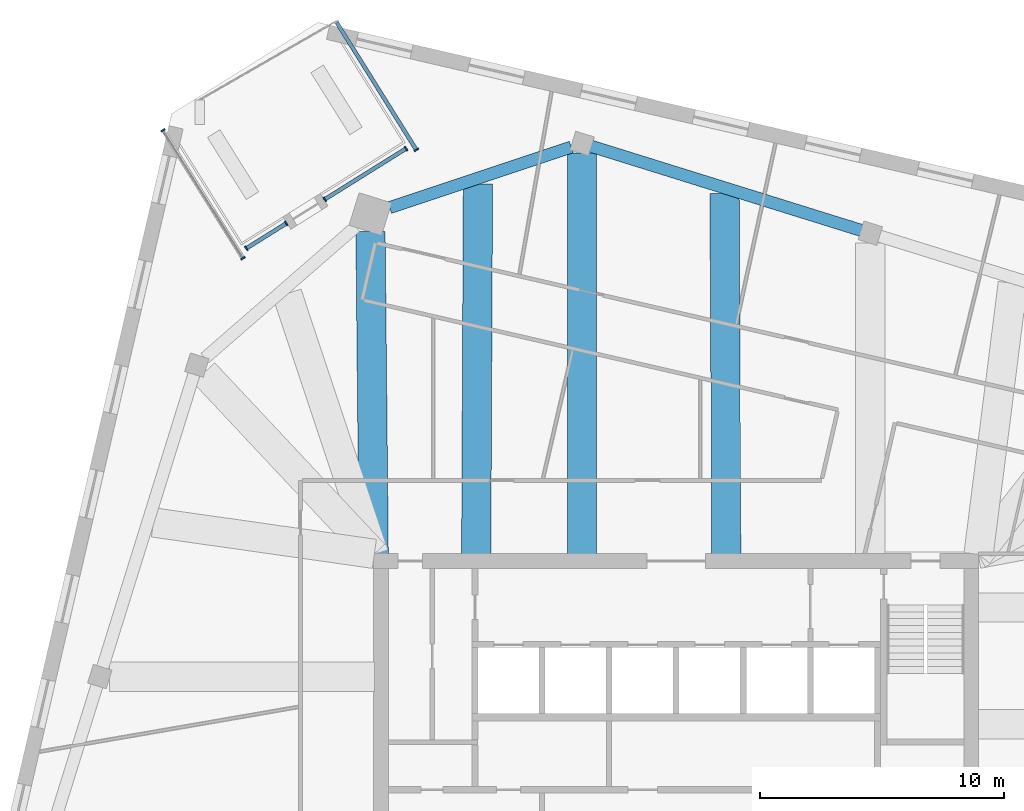
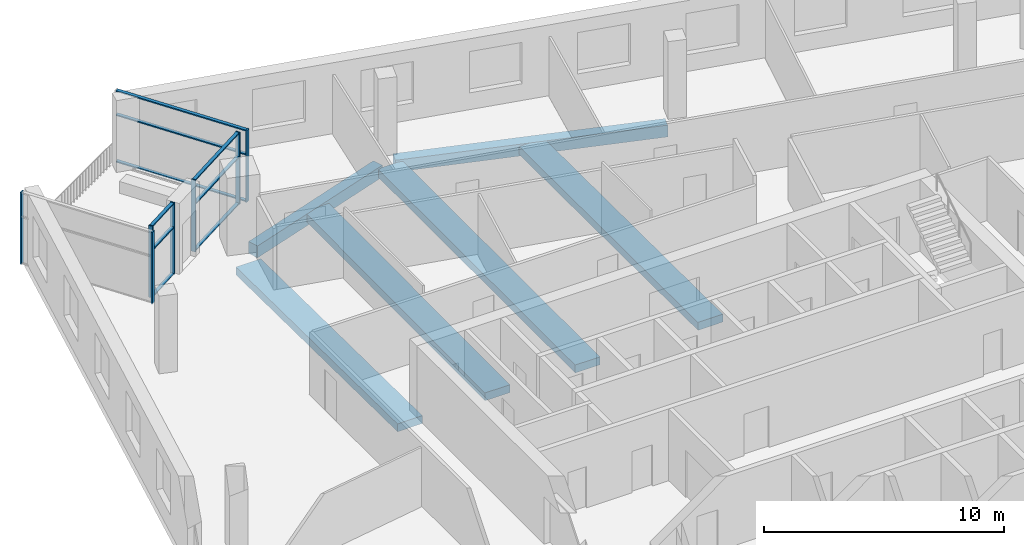
# One storey, part 2 of 14: 16 members, 6 beams, 4 elements without a shape of their own.
"""IFC4 building model written with IfcOpenShell, lengths in metres."""

from ifc_helpers import new_model, si_unit, direction, frame, origin, origin_2d, place, context, subcontext, project, spatial, rectangle, extrude, material, material_profile, profile_set, type_object, element, aggregate, save


model = new_model("IFC4")

# Units and contexts
model_context = context("Model", 3, precision=1e-05, world=origin(), true_north=direction((0.0, 1.0)))
body_context = subcontext(model_context, "Body", "Model", "MODEL_VIEW")
ifc_project = project(units=[si_unit("LENGTHUNIT", "METRE"), si_unit("AREAUNIT", "SQUARE_METRE"), si_unit("VOLUMEUNIT", "CUBIC_METRE"), si_unit("PLANEANGLEUNIT", "RADIAN"), si_unit("MASSUNIT", "GRAM", prefix="KILO")], contexts=[model_context])

# Site, building, storey
site_placement = place(None, origin())
site = spatial("IfcSite", under=ifc_project, at=site_placement, CompositionType="ELEMENT")
building_placement = place(site_placement, origin())
building = spatial("IfcBuilding", under=site, at=building_placement, Name="Dilmun Exchange Tower", CompositionType="ELEMENT")
storey_placement = place(building_placement, frame((0.0, 0.0, 336.5)))
storey = spatial("IfcBuildingStorey", under=building, at=storey_placement, Name="L80", CompositionType="ELEMENT", Elevation=336.5)

# Curtain wall, member
ifc_material_1 = material(Name="Anodised aluminium and clear glass", Category="aluminium")
curtain_wall_type = type_object("IfcCurtainWallType", Name="Garden corner glazing", PredefinedType="NOTDEFINED", material=ifc_material_1)
curtain_wall_1_placement = place(storey_placement, origin())
curtain_wall_1 = element("IfcCurtainWall", 1, at=curtain_wall_1_placement, inside=storey, type_object=curtain_wall_type, Name="Garden corner glazing run GC1.1", PredefinedType="NOTDEFINED")
ifc_material_2 = material(Name="Anodised aluminium", Category="aluminium")
ifc_material_profile_1 = material_profile(ifc_material_2, rectangle(XDim=0.199951171875, YDim=0.06005859375, at=origin_2d()), Name="AL 60x200")
ifc_profile_set_1 = profile_set([ifc_material_profile_1], Name="Anodised aluminium")
member_type_1 = type_object("IfcMemberType", Name="Garden corner glazing mullion 60 x 200", PredefinedType="MULLION", material=ifc_profile_set_1)
member_1_placement = place(storey_placement, frame((-10.65185546875, 28.95458984375, 0.0), z_axis=(0.0, 0.0, 1.0), x_axis=(0.8480495651, 0.529916913426, 0.0)))
member_1 = element("IfcMember", 2, at=member_1_placement, type_object=member_type_1, Name="GC1.1 mullion 2", PredefinedType="MULLION", context=body_context, shape_type="SweptSolid", body=[
    extrude(rectangle(XDim=0.199951171875, YDim=0.06005859375, at=origin_2d()), origin(), (0.0, 0.0, 1.0), 3.64990234375),
])

# Curtain wall, members
curtain_wall_2_placement = place(storey_placement, origin())
curtain_wall_2 = element("IfcCurtainWall", 3, at=curtain_wall_2_placement, inside=storey, type_object=curtain_wall_type, Name="Garden corner glazing run GC2.1", PredefinedType="NOTDEFINED")
member_2_placement = place(storey_placement, frame((-11.07470703125, 29.0087890625, 0.0), z_axis=(0.0, 0.0, 1.0), x_axis=(0.529924577258, -0.848044776187, 0.0)))
member_2 = element("IfcMember", 4, at=member_2_placement, type_object=member_type_1, Name="GC2.1 mullion 1", PredefinedType="MULLION", context=body_context, shape_type="SweptSolid", body=[
    extrude(rectangle(XDim=0.199951171875, YDim=0.06005859375, at=origin_2d()), origin(), (0.0, 0.0, 1.0), 3.64990234375),
])
member_3_placement = place(storey_placement, frame((-14.40673828125, 26.9267578125, 0.0), z_axis=(0.0, 0.0, 1.0), x_axis=(0.529924577258, -0.848044776187, 0.0)))
member_3 = element("IfcMember", 5, at=member_3_placement, type_object=member_type_1, Name="GC2.1 mullion 2", PredefinedType="MULLION", context=body_context, shape_type="SweptSolid", body=[
    extrude(rectangle(XDim=0.199951171875, YDim=0.06005859375, at=origin_2d()), origin(), (0.0, 0.0, 1.0), 3.64990234375),
])

curtain_wall_3_placement = place(storey_placement, origin())
curtain_wall_3 = element("IfcCurtainWall", 6, at=curtain_wall_3_placement, inside=storey, type_object=curtain_wall_type, Name="Garden corner glazing run GC2.3", PredefinedType="NOTDEFINED")
member_4_placement = place(storey_placement, frame((-15.984130859375, 25.94091796875, 0.0), z_axis=(0.0, 0.0, 1.0), x_axis=(0.529885960447, -0.848068905763, 0.0)))
member_4 = element("IfcMember", 7, at=member_4_placement, type_object=member_type_1, Name="GC2.3 mullion 1", PredefinedType="MULLION", context=body_context, shape_type="SweptSolid", body=[
    extrude(rectangle(XDim=0.199951171875, YDim=0.06005859375, at=origin_2d()), origin(), (0.0, 0.0, 1.0), 3.64990234375),
])
member_5_placement = place(storey_placement, frame((-17.6201171875, 24.918701171875, 0.0), z_axis=(0.0, 0.0, 1.0), x_axis=(0.529885960447, -0.848068905763, 0.0)))
member_5 = element("IfcMember", 8, at=member_5_placement, type_object=member_type_1, Name="GC2.3 mullion 2", PredefinedType="MULLION", context=body_context, shape_type="SweptSolid", body=[
    extrude(rectangle(XDim=0.199951171875, YDim=0.06005859375, at=origin_2d()), origin(), (0.0, 0.0, 1.0), 3.64990234375),
])

curtain_wall_4_placement = place(storey_placement, origin())
curtain_wall_4 = element("IfcCurtainWall", 9, at=curtain_wall_4_placement, inside=storey, type_object=curtain_wall_type, Name="Garden corner glazing run GC3.1", PredefinedType="NOTDEFINED")
member_6_placement = place(storey_placement, frame((-17.7568359375, 24.514892578125, 0.0), z_axis=(0.0, 0.0, 1.0), x_axis=(-0.8480495651, -0.529916913426, 0.0)))
member_6 = element("IfcMember", 10, at=member_6_placement, type_object=member_type_1, Name="GC3.1 mullion 1", PredefinedType="MULLION", context=body_context, shape_type="SweptSolid", body=[
    extrude(rectangle(XDim=0.199951171875, YDim=0.06005859375, at=origin_2d()), origin(), (0.0, 0.0, 1.0), 3.64990234375),
])
member_7_placement = place(storey_placement, frame((-21.03515625, 29.761474609375, 0.0), z_axis=(0.0, 0.0, 1.0), x_axis=(-0.8480495651, -0.529916913426, 0.0)))
member_7 = element("IfcMember", 11, at=member_7_placement, type_object=member_type_1, Name="GC3.1 mullion 2", PredefinedType="MULLION", context=body_context, shape_type="SweptSolid", body=[
    extrude(rectangle(XDim=0.199951171875, YDim=0.06005859375, at=origin_2d()), origin(), (0.0, 0.0, 1.0), 3.64990234375),
])
aggregate(curtain_wall_4, [member_6, member_7])

# Member
ifc_material_profile_2 = material_profile(ifc_material_2, rectangle(XDim=0.159912109375, YDim=0.06005859375, at=origin_2d()), Name="AL 60x160")
ifc_profile_set_2 = profile_set([ifc_material_profile_2], Name="Anodised aluminium")
member_type_2 = type_object("IfcMemberType", Name="Garden corner glazing transom 60 x 160", PredefinedType="USERDEFINED", material=ifc_profile_set_2)
member_8_placement = place(storey_placement, frame((-13.914306640625, 34.175537109375, 0.030029296875), z_axis=(0.529923715671, -0.848045314573, 0.0), x_axis=(0.848045314573, 0.529923715671, 0.0)))
member_8 = element("IfcMember", 12, at=member_8_placement, type_object=member_type_2, Name="GC1.1 transom 1.1", ObjectType="TRANSOM", PredefinedType="USERDEFINED", context=body_context, shape_type="SweptSolid", body=[
    extrude(rectangle(XDim=0.159912109375, YDim=0.06005859375, at=origin_2d()), origin(), (0.0, 0.0, 1.0), 6.12646484375),
])

member_9_placement = place(storey_placement, frame((-13.914306640625, 34.175537109375, 2.39990234375), z_axis=(0.529923715671, -0.848045314573, 0.0), x_axis=(0.848045314573, 0.529923715671, 0.0)))
member_9 = element("IfcMember", 13, at=member_9_placement, type_object=member_type_2, Name="GC1.1 transom 1.2", ObjectType="TRANSOM", PredefinedType="USERDEFINED", context=body_context, shape_type="SweptSolid", body=[
    extrude(rectangle(XDim=0.159912109375, YDim=0.06005859375, at=origin_2d()), origin(), (0.0, 0.0, 1.0), 6.12646484375),
])

member_10_placement = place(storey_placement, frame((-13.914306640625, 34.175537109375, 3.6201171875), z_axis=(0.529923715671, -0.848045314573, 0.0), x_axis=(0.848045314573, 0.529923715671, 0.0)))
member_10 = element("IfcMember", 14, at=member_10_placement, type_object=member_type_2, Name="GC1.1 transom 1.3", ObjectType="TRANSOM", PredefinedType="USERDEFINED", context=body_context, shape_type="SweptSolid", body=[
    extrude(rectangle(XDim=0.159912109375, YDim=0.06005859375, at=origin_2d()), origin(), (0.0, 0.0, 1.0), 6.12646484375),
])

aggregate(curtain_wall_1, [member_1, member_8, member_9, member_10])

member_11_placement = place(storey_placement, frame((-11.10009765625, 28.992919921875, 0.030029296875), z_axis=(-0.84805501765, -0.529908187368, 0.0), x_axis=(0.529908187368, -0.84805501765, 0.0)))
member_11 = element("IfcMember", 15, at=member_11_placement, type_object=member_type_2, Name="GC2.1 transom 1.1", ObjectType="TRANSOM", PredefinedType="USERDEFINED", context=body_context, shape_type="SweptSolid", body=[
    extrude(rectangle(XDim=0.159912109375, YDim=0.06005859375, at=origin_2d()), origin(), (0.0, 0.0, 1.0), 3.869140625),
])

member_12_placement = place(storey_placement, frame((-11.10009765625, 28.992919921875, 2.39990234375), z_axis=(-0.84805501765, -0.529908187368, 0.0), x_axis=(0.529908187368, -0.84805501765, 0.0)))
member_12 = element("IfcMember", 16, at=member_12_placement, type_object=member_type_2, Name="GC2.1 transom 1.2", ObjectType="TRANSOM", PredefinedType="USERDEFINED", context=body_context, shape_type="SweptSolid", body=[
    extrude(rectangle(XDim=0.159912109375, YDim=0.06005859375, at=origin_2d()), origin(), (0.0, 0.0, 1.0), 3.869140625),
])

member_13_placement = place(storey_placement, frame((-11.10009765625, 28.992919921875, 3.6201171875), z_axis=(-0.84805501765, -0.529908187368, 0.0), x_axis=(0.529908187368, -0.84805501765, 0.0)))
member_13 = element("IfcMember", 17, at=member_13_placement, type_object=member_type_2, Name="GC2.1 transom 1.3", ObjectType="TRANSOM", PredefinedType="USERDEFINED", context=body_context, shape_type="SweptSolid", body=[
    extrude(rectangle(XDim=0.159912109375, YDim=0.06005859375, at=origin_2d()), origin(), (0.0, 0.0, 1.0), 3.869140625),
])

aggregate(curtain_wall_2, [member_2, member_3, member_11, member_12, member_13])

member_14_placement = place(storey_placement, frame((-16.009521484375, 25.925048828125, 0.030029296875), z_axis=(-0.848123031037, -0.529799324486, 0.0), x_axis=(0.529799324486, -0.848123031037, 0.0)))
member_14 = element("IfcMember", 18, at=member_14_placement, type_object=member_type_2, Name="GC2.3 transom 1.1", ObjectType="TRANSOM", PredefinedType="USERDEFINED", context=body_context, shape_type="SweptSolid", body=[
    extrude(rectangle(XDim=0.159912109375, YDim=0.06005859375, at=origin_2d()), origin(), (0.0, 0.0, 1.0), 1.869140625),
])

member_15_placement = place(storey_placement, frame((-16.009521484375, 25.925048828125, 2.39990234375), z_axis=(-0.848123031037, -0.529799324486, 0.0), x_axis=(0.529799324486, -0.848123031037, 0.0)))
member_15 = element("IfcMember", 19, at=member_15_placement, type_object=member_type_2, Name="GC2.3 transom 1.2", ObjectType="TRANSOM", PredefinedType="USERDEFINED", context=body_context, shape_type="SweptSolid", body=[
    extrude(rectangle(XDim=0.159912109375, YDim=0.06005859375, at=origin_2d()), origin(), (0.0, 0.0, 1.0), 1.869140625),
])

member_16_placement = place(storey_placement, frame((-16.009521484375, 25.925048828125, 3.6201171875), z_axis=(-0.848123031037, -0.529799324486, 0.0), x_axis=(0.529799324486, -0.848123031037, 0.0)))
member_16 = element("IfcMember", 20, at=member_16_placement, type_object=member_type_2, Name="GC2.3 transom 1.3", ObjectType="TRANSOM", PredefinedType="USERDEFINED", context=body_context, shape_type="SweptSolid", body=[
    extrude(rectangle(XDim=0.159912109375, YDim=0.06005859375, at=origin_2d()), origin(), (0.0, 0.0, 1.0), 1.869140625),
])

aggregate(curtain_wall_3, [member_4, member_5, member_14, member_15, member_16])

# Beams
ifc_material_3 = material(Name="Concrete C40/50", Category="concrete")
ifc_material_profile_3 = material_profile(ifc_material_3, rectangle(XDim=1.199951171875, YDim=0.39990234375, at=origin_2d()), Name="1200 x 400")
ifc_profile_set_3 = profile_set([ifc_material_profile_3], Name="Concrete C40/50")
beam_type_1 = type_object("IfcBeamType", Name="RC band beam 1200 x 400 C40/50", PredefinedType="BEAM", material=ifc_profile_set_3)
beam_1_placement = place(storey_placement, frame((-12.530029296875, 25.613525390625, -0.64990234375), z_axis=(0.009845926203, -0.999951527694, 0.0), x_axis=(0.999951527694, 0.009845926203, 0.0)))
element("IfcBeam", 21, at=beam_1_placement, inside=storey, type_object=beam_type_1, Name="Band beam 1", PredefinedType="BEAM", context=body_context, shape_type="SweptSolid", body=[
    extrude(rectangle(XDim=1.199951171875, YDim=0.39990234375, at=origin_2d()), origin(), (0.0, 0.0, 1.0), 13.2412109375),
])
beam_2_placement = place(storey_placement, frame((-3.85595703125, 28.827880859375, -0.64990234375), z_axis=(0.0, -1.0, 0.0), x_axis=(1.0, 0.0, 0.0)))
element("IfcBeam", 22, at=beam_2_placement, inside=storey, type_object=beam_type_1, Name="Band beam 16", PredefinedType="BEAM", context=body_context, shape_type="SweptSolid", body=[
    extrude(rectangle(XDim=1.199951171875, YDim=0.39990234375, at=origin_2d()), origin(), (0.0, 0.0, 1.0), 16.454833984375),
])
beam_3_placement = place(storey_placement, frame((1.984619140625, 27.16650390625, -0.550048828125), z_axis=(0.004488848064, -0.999989925071, 0.0), x_axis=(0.999989925071, 0.004488848064, 0.0)))
element("IfcBeam", 23, at=beam_3_placement, inside=storey, type_object=beam_type_1, Name="Band beam 31", PredefinedType="BEAM", context=body_context, shape_type="SweptSolid", body=[
    extrude(rectangle(XDim=1.199951171875, YDim=0.39990234375, at=origin_2d()), origin(), (0.0, 0.0, 1.0), 14.793701171875),
])
beam_4_placement = place(storey_placement, frame((-8.1259765625, 27.5595703125, -0.550048828125), z_axis=(-0.00464595333, -0.999989207501, 0.0), x_axis=(0.999989207501, -0.00464595333, 0.0)))
element("IfcBeam", 24, at=beam_4_placement, inside=storey, type_object=beam_type_1, Name="Band beam 32", PredefinedType="BEAM", context=body_context, shape_type="SweptSolid", body=[
    extrude(rectangle(XDim=1.199951171875, YDim=0.39990234375, at=origin_2d()), origin(), (0.0, 0.0, 1.0), 15.186767578125),
])
ifc_material_profile_4 = material_profile(ifc_material_3, rectangle(XDim=0.5, YDim=0.60009765625, at=origin_2d()), Name="500 x 600")
ifc_profile_set_4 = profile_set([ifc_material_profile_4], Name="Concrete C40/50")
beam_type_2 = type_object("IfcBeamType", Name="RC ring beam 500 x 600 C40/50", PredefinedType="SPANDREL", material=ifc_profile_set_4)
beam_5_placement = place(storey_placement, frame((7.601806640625, 25.64990234375, -0.64990234375), z_axis=(-0.954732553331, 0.297465546931, 0.0), x_axis=(-0.297465546931, -0.954732553331, 0.0)))
element("IfcBeam", 25, at=beam_5_placement, inside=storey, type_object=beam_type_2, Name="Ring beam 15", PredefinedType="SPANDREL", context=body_context, shape_type="SweptSolid", body=[
    extrude(rectangle(XDim=0.5, YDim=0.60009765625, at=origin_2d()), origin(), (0.0, 0.0, 1.0), 11.628173828125),
])
beam_6_placement = place(storey_placement, frame((-4.298095703125, 29.072509765625, -0.64990234375), z_axis=(-0.94854014246, -0.316656909198, 0.0), x_axis=(0.316656909198, -0.94854014246, 0.0)))
element("IfcBeam", 26, at=beam_6_placement, inside=storey, type_object=beam_type_2, Name="Ring beam 16", PredefinedType="SPANDREL", context=body_context, shape_type="SweptSolid", body=[
    extrude(rectangle(XDim=0.5, YDim=0.60009765625, at=origin_2d()), origin(), (0.0, 0.0, 1.0), 7.850341796875),
])

save(model, "model.ifc")
